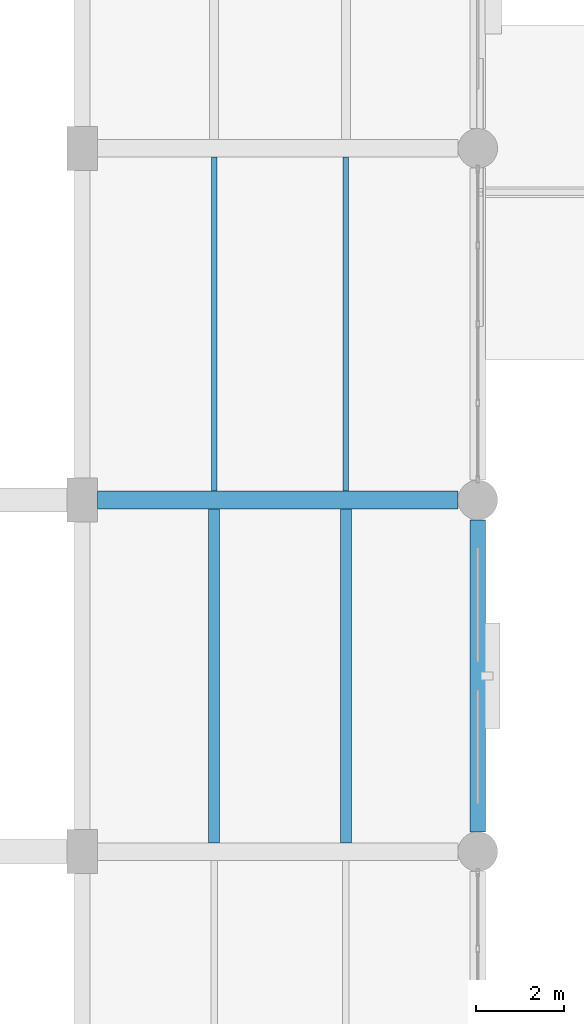
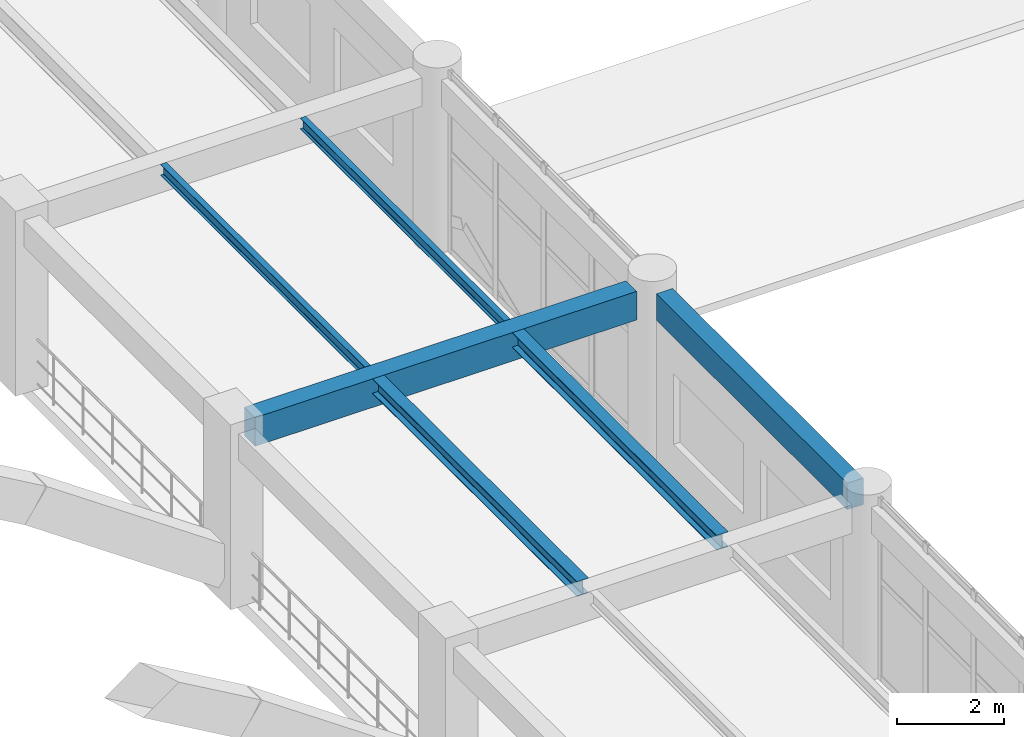
# One storey, part 47 of 148: 6 beams.
"""IFC4 building model written with IfcOpenShell, lengths in metres."""

from ifc_helpers import new_model, si_unit, derived_unit, direction, frame, origin, origin_2d, place, context, subcontext, project, spatial, rectangle, i_section, extrude, material, material_profile, profile_set, type_object, element, save


model = new_model("IFC4")

# Units and contexts
model_context = context("Model", 3, precision=1e-05, world=origin(), true_north=direction((0.0, 1.0)))
body_context = subcontext(model_context, "Body", "Model", "MODEL_VIEW")
ifc_project = project(units=[si_unit("LENGTHUNIT", "METRE"), si_unit("AREAUNIT", "SQUARE_METRE"), si_unit("VOLUMEUNIT", "CUBIC_METRE"), si_unit("PLANEANGLEUNIT", "RADIAN"), si_unit("MASSUNIT", "GRAM", prefix="KILO"), derived_unit("THERMALTRANSMITTANCEUNIT", [(si_unit("MASSUNIT", "GRAM", prefix="KILO"), 1), (si_unit("TIMEUNIT", "SECOND"), -3), (si_unit("THERMODYNAMICTEMPERATUREUNIT", "KELVIN"), -1)])], contexts=[model_context])

# Site, building, storey
site_placement = place(None, origin())
site = spatial("IfcSite", under=ifc_project, at=site_placement, CompositionType="ELEMENT")
building_placement = place(site_placement, origin())
building = spatial("IfcBuilding", under=site, at=building_placement, Name="Zhenchuan Archway Interchange", CompositionType="ELEMENT")
storey_placement = place(building_placement, frame((0.0, 0.0, 10.199951171875)))
storey = spatial("IfcBuildingStorey", under=building, at=storey_placement, Name="L02", CompositionType="ELEMENT", Elevation=10.199951171875)

# Beams
ifc_material_1 = material(Name="Concrete C40", Category="concrete")
ifc_material_profile_1 = material_profile(ifc_material_1, rectangle(XDim=0.39990234375, YDim=0.64990234375, at=origin_2d()), Name="RC 400x650")
ifc_profile_set_1 = profile_set([ifc_material_profile_1], Name="Concrete C40")
beam_type_1 = type_object("IfcBeamType", Name="BM_RC_400x650", PredefinedType="BEAM", material=ifc_profile_set_1)
beam_1_placement = place(storey_placement, frame((63.35009765625, 48.0, 3.614990234375), z_axis=(1.0, 0.0, 0.0), x_axis=(0.0, 1.0, 0.0)))
element("IfcBeam", 1, at=beam_1_placement, inside=storey, type_object=beam_type_1, Name="Beam G:8-9 (L02)", PredefinedType="BEAM", context=body_context, shape_type="SweptSolid", body=[
    extrude(rectangle(XDim=0.39990234375, YDim=0.64990234375, at=origin_2d()), origin(), (0.0, 0.0, 1.0), 8.199951171875),
])
ifc_material_2 = material(Name="Steel Q355", Category="steel")
ifc_material_profile_2 = material_profile(ifc_material_2, i_section(OverallWidth=0.25, OverallDepth=0.340087890625, WebThickness=0.009033203125, FlangeThickness=0.013916015625, FilletRadius=0.01806640625, at=origin_2d()), Name="HM 340x250")
ifc_profile_set_2 = profile_set([ifc_material_profile_2], Name="Steel Q355")
beam_type_2 = type_object("IfcBeamType", Name="JST_STL_HM340", PredefinedType="JOIST", material=ifc_profile_set_2)
for number, where, z_axis, x_axis, name in (
    (2, (66.0, 40.199951171875, 3.77001953125), (0.0, 1.0, 0.0), (-1.0, 0.0, 0.0), "Secondary joist 8-9/F-G #1 (L02)"),
    (3, (69.0, 40.199951171875, 3.77001953125), (0.0, 1.0, 0.0), (-1.0, 0.0, 0.0), "Secondary joist 8-9/F-G #2 (L02)"),
):
    element("IfcBeam", number, at=place(storey_placement, frame(where, z_axis=z_axis, x_axis=x_axis)), inside=storey, type_object=beam_type_2, Name=name, PredefinedType="JOIST", context=body_context, shape_type="SweptSolid", body=[
        extrude(i_section(OverallWidth=0.25, OverallDepth=0.340087890625, WebThickness=0.009033203125, FlangeThickness=0.013916015625, FilletRadius=0.01806640625, at=origin_2d()), origin(), (0.0, 0.0, 1.0), 7.60009765625),
    ])
ifc_material_profile_3 = material_profile(ifc_material_2, i_section(OverallWidth=0.125, OverallDepth=0.25, WebThickness=0.006103515625, FlangeThickness=0.009033203125, FilletRadius=0.011962890625, at=origin_2d()), Name="HN 250x125")
ifc_profile_set_3 = profile_set([ifc_material_profile_3], Name="Steel Q355")
beam_type_3 = type_object("IfcBeamType", Name="JST_STL_HN250", PredefinedType="JOIST", material=ifc_profile_set_3)
for number, where, z_axis, x_axis, name in (
    (4, (66.0, 48.199951171875, 3.81494140625), (0.0, 1.0, 0.0), (-1.0, 0.0, 0.0), "Secondary joist 8-9/G-H #1 (L02)"),
    (5, (69.0, 48.199951171875, 3.81494140625), (0.0, 1.0, 0.0), (-1.0, 0.0, 0.0), "Secondary joist 8-9/G-H #2 (L02)"),
):
    element("IfcBeam", number, at=place(storey_placement, frame(where, z_axis=z_axis, x_axis=x_axis)), inside=storey, type_object=beam_type_3, Name=name, PredefinedType="JOIST", context=body_context, shape_type="SweptSolid", body=[
        extrude(i_section(OverallWidth=0.125, OverallDepth=0.25, WebThickness=0.006103515625, FlangeThickness=0.009033203125, FilletRadius=0.011962890625, at=origin_2d()), origin(), (0.0, 0.0, 1.0), 7.60009765625),
    ])
ifc_material_profile_4 = material_profile(ifc_material_1, rectangle(XDim=0.35009765625, YDim=0.60009765625, at=origin_2d()), Name="RC 350x600")
ifc_profile_set_4 = profile_set([ifc_material_profile_4], Name="Concrete C40")
beam_type_4 = type_object("IfcBeamType", Name="SP_RC_350x600", PredefinedType="SPANDREL", material=ifc_profile_set_4)
beam_2_placement = place(storey_placement, frame((72.0, 40.449951171875, 3.64013671875), z_axis=(0.0, 1.0, 0.0), x_axis=(-1.0, 0.0, 0.0)))
element("IfcBeam", 6, at=beam_2_placement, inside=storey, type_object=beam_type_4, Name="Beam 9:F-G (L02)", PredefinedType="SPANDREL", context=body_context, shape_type="SweptSolid", body=[
    extrude(rectangle(XDim=0.35009765625, YDim=0.60009765625, at=origin_2d()), origin(), (0.0, 0.0, 1.0), 7.10009765625),
])

save(model, "model.ifc")
